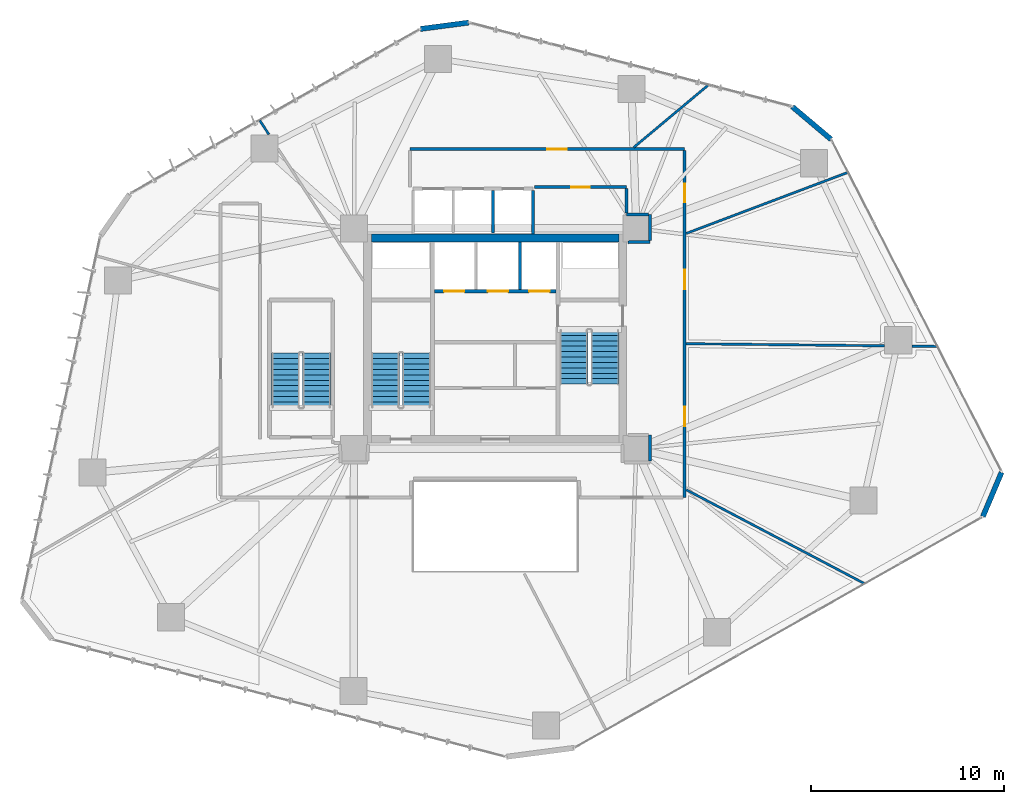
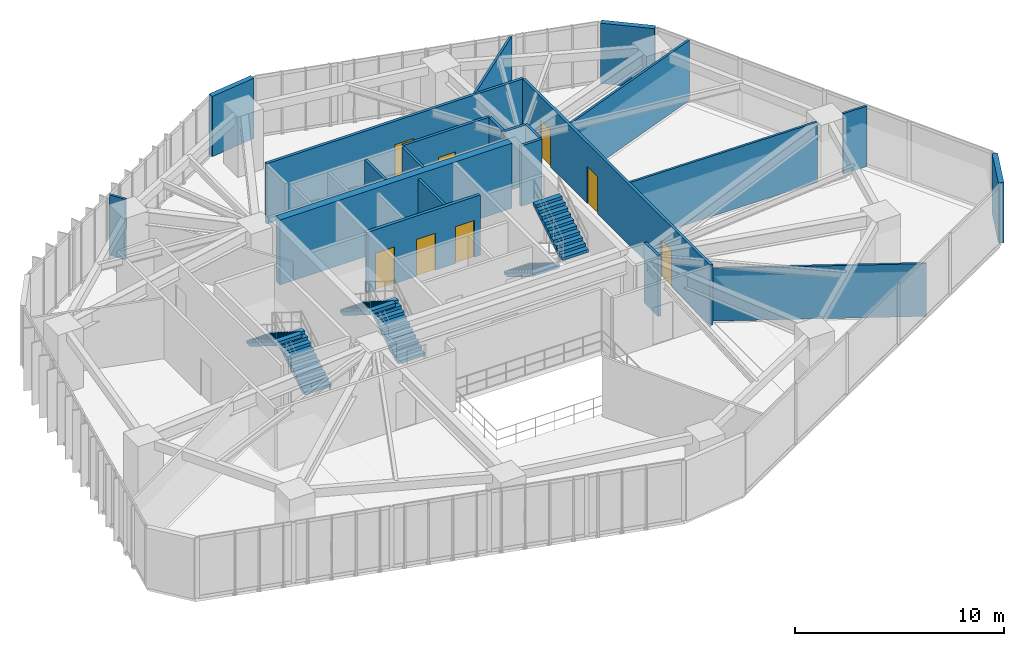
# One storey, part 19 of 23: 22 walls, 8 doors, 6 stair flights, 8 openings, 3 elements without a shape of their own.
"""IFC4 building model written with IfcOpenShell, lengths in metres."""

from ifc_helpers import new_model, si_unit, direction, frame, frame_2d, origin, place, context, subcontext, project, spatial, polyline, rectangle, outline, extrude, source, transform, mapped, material, layer, layer_set, type_object, type_shapes, element, fill, aggregate, save


model = new_model("IFC4")

# Units and contexts
model_context = context("Model", 3, precision=1e-05, world=origin(), true_north=direction((0.0, 1.0)))
body_context = subcontext(model_context, "Body", "Model", "MODEL_VIEW")
ifc_project = project(units=[si_unit("LENGTHUNIT", "METRE"), si_unit("AREAUNIT", "SQUARE_METRE"), si_unit("VOLUMEUNIT", "CUBIC_METRE"), si_unit("PLANEANGLEUNIT", "RADIAN"), si_unit("MASSUNIT", "GRAM", prefix="KILO")], contexts=[model_context])

# Site, building, storey
site_placement = place(None, origin())
site = spatial("IfcSite", under=ifc_project, at=site_placement, CompositionType="ELEMENT")
building_placement = place(site_placement, origin())
building = spatial("IfcBuilding", under=site, at=building_placement, Name="Talar Marvaseh", CompositionType="ELEMENT")
storey_placement = place(building_placement, frame((0.0, 0.0, 46.800048828125)))
storey = spatial("IfcBuildingStorey", under=building, at=storey_placement, Name="L11", CompositionType="ELEMENT", Elevation=46.800048828125)

# Walls
ifc_material_1 = material(Name="Precast concrete C45/55", Category="concrete")
ifc_layer_1 = layer(ifc_material_1, 0.27001953125)
ifc_layer_set_1 = layer_set([ifc_layer_1], Name="Precast concrete C45/55")
wall_type_1 = type_object("IfcWallType", Name="Chamfered Hexagonal Corner Pier Wall Z1 270", PredefinedType="SOLIDWALL", material=ifc_layer_set_1)
wall_1_placement = place(storey_placement, frame((22.1357421875, 47.21435546875, 0.0), z_axis=(0.0, 0.0, 1.0), x_axis=(0.991446036336, 0.130517267189, 0.0)))
element("IfcWall", 1, at=wall_1_placement, inside=storey, type_object=wall_type_1, Name="L11 Chamfered Corner Limestone Pier 3", PredefinedType="SOLIDWALL", context=body_context, shape_type="SweptSolid", body=[
    extrude(rectangle(XDim=2.515869140625, YDim=0.27001953125, at=frame_2d((1.2578125, 0.0))), origin(), (0.0, 0.0, 1.0), 3.52001953125),
])
wall_2_placement = place(storey_placement, frame((41.369873046875, 43.19091796875, 0.0), z_axis=(0.0, 0.0, 1.0), x_axis=(0.764585273349, -0.64452258283, 0.0)))
element("IfcWall", 2, at=wall_2_placement, inside=storey, type_object=wall_type_1, Name="L11 Chamfered Corner Limestone Pier 4", PredefinedType="SOLIDWALL", context=body_context, shape_type="SweptSolid", body=[
    extrude(rectangle(XDim=2.623046875, YDim=0.27001953125, at=frame_2d((1.3115234375, 0.0))), origin(), (0.0, 0.0, 1.0), 3.52001953125),
])
wall_3_placement = place(storey_placement, frame((52.18505859375, 24.287841796875, 0.0), z_axis=(0.0, 0.0, 1.0), x_axis=(-0.389585485565, -0.92099030909, 0.0)))
element("IfcWall", 3, at=wall_3_placement, inside=storey, type_object=wall_type_1, Name="L11 Chamfered Corner Limestone Pier 5", PredefinedType="SOLIDWALL", context=body_context, shape_type="SweptSolid", body=[
    extrude(rectangle(XDim=2.484130859375, YDim=0.27001953125, at=frame_2d((1.2421875, 0.0))), origin(), (0.0, 0.0, 1.0), 3.52001953125),
])

# Wall, opening, door
ifc_material_2 = material(Name="Gypsum Board Partition Assembly")
ifc_layer_2 = layer(ifc_material_2, 0.155029296875)
ifc_layer_set_2 = layer_set([ifc_layer_2], Name="Gypsum Board Partition Assembly")
wall_type_2 = type_object("IfcWallType", Name="Corridor Fire-Rated Acoustic Partition 155", PredefinedType="PARTITIONING", material=ifc_layer_set_2)
wall_4_placement = place(storey_placement, frame((32.800048828125, 39.0400390625, 0.0), z_axis=(0.0, 0.0, 1.0), x_axis=(-1.0, 0.0, 0.0)))
wall_4 = element("IfcWall", 4, at=wall_4_placement, inside=storey, type_object=wall_type_2, Name="L11 Interior Partition Wall", PredefinedType="PARTITIONING", context=body_context, shape_type="SweptSolid", body=[
    extrude(rectangle(XDim=4.77001953125, YDim=0.155029296875, at=frame_2d((2.385009765625, 0.0))), origin(), (0.0, 0.0, 1.0), 3.52001953125),
])
opening_1_placement = place(wall_4_placement, frame((1.909912109375, 0.0, 0.0)))
opening_1 = element("IfcOpeningElement", 5, at=opening_1_placement, cuts=wall_4, Name="Opening DR-WC095", PredefinedType="OPENING", context=body_context, shape_type="SweptSolid", body=[
    extrude(rectangle(XDim=0.949951171875, YDim=2.14990234375, at=frame_2d((0.47509765625, 1.074951171875))), frame((0.0, 0.08740234375, 0.0), z_axis=(0.0, -1.0, 0.0), x_axis=(1.0, 0.0, 0.0)), (0.0, 0.0, 1.0), 0.175048828125),
])
ifc_material_3 = material(Name="Acoustic Engineered Oak Timber", Category="wood")
door_type_1 = type_object("IfcDoorType", Name="Washroom and Service Room Door 950x2150", OperationType="NOTDEFINED", PredefinedType="DOOR", material=ifc_material_3)
shared_shape_1 = source(origin(), body_context, "Body", "SweptSolid", [
    extrude(rectangle(XDim=0.949951171875, YDim=2.14990234375, at=frame_2d((0.47509765625, 1.074951171875))), frame((0.0, 0.02490234375, 0.0), z_axis=(0.0, -1.0, 0.0), x_axis=(1.0, 0.0, 0.0)), (0.0, 0.0, 1.0), 0.050048828125),
])
type_shapes(door_type_1, [shared_shape_1])
door_1_placement = place(opening_1_placement, origin())
door_1 = element("IfcDoor", 6, at=door_1_placement, inside=storey, type_object=door_type_1, Name="L11 WC Public Washrooms Door", OperationType="SINGLE_SWING_LEFT", OverallHeight=2.14990234375, OverallWidth=0.949951171875, PredefinedType="DOOR", context=body_context, shape_type="MappedRepresentation", body=[
    mapped(shared_shape_1, transform((0.0, 0.0, 0.0), x_axis=(1.0, 0.0, 0.0), y_axis=(0.0, 1.0, 0.0), z_axis=(0.0, 0.0, 1.0), scale=1.0)),
])
fill(opening_1, door_1)

wall_5_placement = place(storey_placement, frame((21.60009765625, 41.0, 0.0), z_axis=(0.0, 0.0, 1.0), x_axis=(1.0, 0.0, 0.0)))
wall_5 = element("IfcWall", 7, at=wall_5_placement, inside=storey, type_object=wall_type_2, Name="L11 Interior Partition Wall", PredefinedType="PARTITIONING", context=body_context, shape_type="SweptSolid", body=[
    extrude(rectangle(XDim=14.199951171875, YDim=0.155029296875, at=frame_2d((7.10009765625, 0.0))), origin(), (0.0, 0.0, 1.0), 3.52001953125),
])
opening_2_placement = place(wall_5_placement, frame((7.090087890625, 0.0, 0.0)))
opening_2 = element("IfcOpeningElement", 8, at=opening_2_placement, cuts=wall_5, Name="Opening DR-RM100", PredefinedType="OPENING", context=body_context, shape_type="SweptSolid", body=[
    extrude(rectangle(XDim=1.0, YDim=2.14990234375, at=frame_2d((0.5, 1.074951171875))), frame((0.0, 0.08740234375, 0.0), z_axis=(0.0, -1.0, 0.0), x_axis=(1.0, 0.0, 0.0)), (0.0, 0.0, 1.0), 0.175048828125),
])
door_type_2 = type_object("IfcDoorType", Name="Corridor Fire-Rated Gallery Door 1000x2150", OperationType="NOTDEFINED", PredefinedType="DOOR", material=ifc_material_3)
shared_shape_2 = source(origin(), body_context, "Body", "SweptSolid", [
    extrude(rectangle(XDim=1.0, YDim=2.14990234375, at=frame_2d((0.5, 1.074951171875))), frame((0.0, 0.02490234375, 0.0), z_axis=(0.0, -1.0, 0.0), x_axis=(1.0, 0.0, 0.0)), (0.0, 0.0, 1.0), 0.050048828125),
])
type_shapes(door_type_2, [shared_shape_2])
door_2_placement = place(opening_2_placement, origin())
door_2 = element("IfcDoor", 9, at=door_2_placement, inside=storey, type_object=door_type_2, Name="L11 Chamber Recital Salon Door", OperationType="SINGLE_SWING_RIGHT", OverallHeight=2.14990234375, OverallWidth=1.0, PredefinedType="DOOR", context=body_context, shape_type="MappedRepresentation", body=[
    mapped(shared_shape_2, transform((0.0, 0.0, 0.0), x_axis=(1.0, 0.0, 0.0), y_axis=(0.0, 1.0, 0.0), z_axis=(0.0, 0.0, 1.0), scale=1.0)),
])
fill(opening_2, door_2)

# Wall, openings, doors
wall_6_placement = place(storey_placement, frame((35.800048828125, 40.91650390625, 0.0), z_axis=(0.0, 0.0, 1.0), x_axis=(0.0, -1.0, 0.0)))
wall_6 = element("IfcWall", 10, at=wall_6_placement, inside=storey, type_object=wall_type_2, Name="L11 Interior Partition Wall", PredefinedType="PARTITIONING", context=body_context, shape_type="SweptSolid", body=[
    extrude(rectangle(XDim=17.91650390625, YDim=0.155029296875, at=frame_2d((8.958251953125, 0.0))), origin(), (0.0, 0.0, 1.0), 3.52001953125),
])
opening_3_placement = place(wall_6_placement, frame((13.242919921875, 0.0, 0.0)))
opening_3 = element("IfcOpeningElement", 11, at=opening_3_placement, cuts=wall_6, Name="Opening DR-RM100", PredefinedType="OPENING", context=body_context, shape_type="SweptSolid", body=[
    extrude(rectangle(XDim=1.0, YDim=2.14990234375, at=frame_2d((0.5, 1.074951171875))), frame((0.0, 0.08740234375, 0.0), z_axis=(0.0, -1.0, 0.0), x_axis=(1.0, 0.0, 0.0)), (0.0, 0.0, 1.0), 0.175048828125),
])
opening_4_placement = place(wall_6_placement, frame((6.158203125, 0.0, 0.0)))
opening_4 = element("IfcOpeningElement", 12, at=opening_4_placement, cuts=wall_6, Name="Opening DR-RM100", PredefinedType="OPENING", context=body_context, shape_type="SweptSolid", body=[
    extrude(rectangle(XDim=1.0, YDim=2.14990234375, at=frame_2d((0.5, 1.074951171875))), frame((0.0, 0.08740234375, 0.0), z_axis=(0.0, -1.0, 0.0), x_axis=(1.0, 0.0, 0.0)), (0.0, 0.0, 1.0), 0.175048828125),
])
opening_5_placement = place(wall_6_placement, frame((1.70458984375, 0.0, 0.0)))
opening_5 = element("IfcOpeningElement", 13, at=opening_5_placement, cuts=wall_6, Name="Opening DR-WC095", PredefinedType="OPENING", context=body_context, shape_type="SweptSolid", body=[
    extrude(rectangle(XDim=0.949951171875, YDim=2.14990234375, at=frame_2d((0.47509765625, 1.074951171875))), frame((0.0, 0.08740234375, 0.0), z_axis=(0.0, -1.0, 0.0), x_axis=(1.0, 0.0, 0.0)), (0.0, 0.0, 1.0), 0.175048828125),
])
door_3_placement = place(opening_5_placement, origin())
door_3 = element("IfcDoor", 14, at=door_3_placement, inside=storey, type_object=door_type_1, Name="L11 Accessible WC Block Door", OperationType="SINGLE_SWING_RIGHT", OverallHeight=2.14990234375, OverallWidth=0.949951171875, PredefinedType="DOOR", context=body_context, shape_type="MappedRepresentation", body=[
    mapped(shared_shape_1, transform((0.0, 0.0, 0.0), x_axis=(1.0, 0.0, 0.0), y_axis=(0.0, 1.0, 0.0), z_axis=(0.0, 0.0, 1.0), scale=1.0)),
])
fill(opening_5, door_3)
door_4_placement = place(opening_3_placement, origin())
door_4 = element("IfcDoor", 15, at=door_4_placement, inside=storey, type_object=door_type_2, Name="L11 Main Reading Room Door", OperationType="SINGLE_SWING_RIGHT", OverallHeight=2.14990234375, OverallWidth=1.0, PredefinedType="DOOR", context=body_context, shape_type="MappedRepresentation", body=[
    mapped(shared_shape_2, transform((0.0, 0.0, 0.0), x_axis=(1.0, 0.0, 0.0), y_axis=(0.0, 1.0, 0.0), z_axis=(0.0, 0.0, 1.0), scale=1.0)),
])
fill(opening_3, door_4)
door_5_placement = place(opening_4_placement, origin())
door_5 = element("IfcDoor", 16, at=door_5_placement, inside=storey, type_object=door_type_2, Name="L11 Visitor Orientation Foyer Door", OperationType="SINGLE_SWING_LEFT", OverallHeight=2.14990234375, OverallWidth=1.0, PredefinedType="DOOR", context=body_context, shape_type="MappedRepresentation", body=[
    mapped(shared_shape_2, transform((0.0, 0.0, 0.0), x_axis=(1.0, 0.0, 0.0), y_axis=(0.0, 1.0, 0.0), z_axis=(0.0, 0.0, 1.0), scale=1.0)),
])
fill(opening_4, door_5)

# Walls
wall_7_placement = place(storey_placement, frame((34.014892578125, 24.883544921875, 0.0), z_axis=(0.0, 0.0, 1.0), x_axis=(-0.002393659134, 0.999997135194, 0.0)))
element("IfcWall", 17, at=wall_7_placement, inside=storey, type_object=wall_type_2, Name="L11 Interior Partition Wall", PredefinedType="PARTITIONING", context=body_context, shape_type="SweptSolid", body=[
    extrude(rectangle(XDim=1.325927734375, YDim=0.155029296875, at=frame_2d((0.6630859375, 0.0))), origin(), (0.0, 0.0, 1.0), 3.52001953125),
])
wall_8_placement = place(storey_placement, frame((32.8701171875, 36.18505859375, 0.0), z_axis=(0.0, 0.0, 1.0), x_axis=(0.999988932255, 0.00470482389, 0.0)))
element("IfcWall", 18, at=wall_8_placement, inside=storey, type_object=wall_type_2, Name="L11 Interior Partition Wall", PredefinedType="PARTITIONING", context=body_context, shape_type="SweptSolid", body=[
    extrude(rectangle(XDim=1.1416015625, YDim=0.155029296875, at=frame_2d((0.57080078125, 0.0))), origin(), (0.0, 0.0, 1.0), 3.52001953125),
])
wall_9_placement = place(storey_placement, frame((34.01171875, 36.27392578125, 0.0), z_axis=(0.0, 0.0, 1.0), x_axis=(0.0, 1.0, 0.0)))
element("IfcWall", 19, at=wall_9_placement, inside=storey, type_object=wall_type_2, Name="L11 Interior Partition Wall", PredefinedType="PARTITIONING", context=body_context, shape_type="SweptSolid", body=[
    extrude(rectangle(XDim=1.335693359375, YDim=0.155029296875, at=frame_2d((0.66796875, 0.0))), origin(), (0.0, 0.0, 1.0), 3.52001953125),
])
wall_10_placement = place(storey_placement, frame((33.927978515625, 37.60986328125, 0.0), z_axis=(0.0, 0.0, 1.0), x_axis=(-0.999989669582, 0.004545407589, 0.0)))
element("IfcWall", 20, at=wall_10_placement, inside=storey, type_object=wall_type_2, Name="L11 Interior Partition Wall", PredefinedType="PARTITIONING", context=body_context, shape_type="SweptSolid", body=[
    extrude(rectangle(XDim=1.1279296875, YDim=0.155029296875, at=frame_2d((0.56396484375, 0.0))), origin(), (0.0, 0.0, 1.0), 3.52001953125),
])
wall_11_placement = place(storey_placement, frame((32.800048828125, 37.698486328125, 0.0), z_axis=(0.0, 0.0, 1.0), x_axis=(0.0, 1.0, 0.0)))
element("IfcWall", 21, at=wall_11_placement, inside=storey, type_object=wall_type_2, Name="L11 Interior Partition Wall", PredefinedType="PARTITIONING", context=body_context, shape_type="SweptSolid", body=[
    extrude(rectangle(XDim=1.258056640625, YDim=0.155029296875, at=frame_2d((0.62890625, 0.0))), origin(), (0.0, 0.0, 1.0), 3.52001953125),
])
ifc_layer_3 = layer(ifc_material_2, 0.1201171875)
ifc_layer_set_3 = layer_set([ifc_layer_3], Name="Gypsum Board Partition Assembly")
wall_type_3 = type_object("IfcWallType", Name="Demountable Studio Room Partition 120", PredefinedType="PARTITIONING", material=ifc_layer_set_3)
wall_12_placement = place(storey_placement, frame((35.883544921875, 23.385986328125, 0.0), z_axis=(0.0, 0.0, 1.0), x_axis=(0.884897850973, -0.465785136456, 0.0)))
element("IfcWall", 22, at=wall_12_placement, inside=storey, type_object=wall_type_3, Name="L11 Interior Partition Wall", PredefinedType="PARTITIONING", context=body_context, shape_type="SweptSolid", body=[
    extrude(rectangle(XDim=10.399169921875, YDim=0.1201171875, at=frame_2d((5.19970703125, 0.0))), origin(), (0.0, 0.0, 1.0), 3.08203125),
])
wall_13_placement = place(storey_placement, frame((35.864990234375, 30.939208984375, 0.0), z_axis=(0.0, 0.0, 1.0), x_axis=(0.999943490753, -0.01063086551, 0.0)))
element("IfcWall", 23, at=wall_13_placement, inside=storey, type_object=wall_type_3, Name="L11 Interior Partition Wall", PredefinedType="PARTITIONING", context=body_context, shape_type="SweptSolid", body=[
    extrude(rectangle(XDim=10.265380859375, YDim=0.1201171875, at=frame_2d((5.1328125, 0.0))), origin(), (0.0, 0.0, 1.0), 3.52001953125),
])
wall_14_placement = place(storey_placement, frame((47.56005859375, 30.81005859375, 0.0), z_axis=(0.0, 0.0, 1.0), x_axis=(0.99995667863, -0.009308107381, 0.0)))
element("IfcWall", 24, at=wall_14_placement, inside=storey, type_object=wall_type_3, Name="L11 Interior Partition Wall", PredefinedType="PARTITIONING", context=body_context, shape_type="SweptSolid", body=[
    extrude(rectangle(XDim=1.28515625, YDim=0.1201171875, at=frame_2d((0.642578125, 0.0))), origin(), (0.0, 0.0, 1.0), 3.52001953125),
])
wall_15_placement = place(storey_placement, frame((35.883544921875, 36.6416015625, 0.0), z_axis=(0.0, 0.0, 1.0), x_axis=(0.935485162671, 0.35336597236, 0.0)))
element("IfcWall", 25, at=wall_15_placement, inside=storey, type_object=wall_type_3, Name="L11 Interior Partition Wall", PredefinedType="PARTITIONING", context=body_context, shape_type="SweptSolid", body=[
    extrude(rectangle(XDim=8.920166015625, YDim=0.1201171875, at=frame_2d((4.4599609375, 0.0))), origin(), (0.0, 0.0, 1.0), 3.52001953125),
])
wall_16_placement = place(storey_placement, frame((33.159912109375, 41.08349609375, 0.0), z_axis=(0.0, 0.0, 1.0), x_axis=(0.767061220869, 0.641573911127, 0.0)))
element("IfcWall", 26, at=wall_16_placement, inside=storey, type_object=wall_type_3, Name="L11 Interior Partition Wall", PredefinedType="PARTITIONING", context=body_context, shape_type="SweptSolid", body=[
    extrude(rectangle(XDim=5.025390625, YDim=0.1201171875, at=frame_2d((2.5126953125, 0.0))), origin(), (0.0, 0.0, 1.0), 3.52001953125),
])
wall_17_placement = place(storey_placement, frame((14.300048828125, 41.760009765625, 0.0), z_axis=(0.0, 0.0, 1.0), x_axis=(-0.54461843276, 0.838683946846, 0.0)))
element("IfcWall", 27, at=wall_17_placement, inside=storey, type_object=wall_type_3, Name="L11 Interior Partition Wall", PredefinedType="PARTITIONING", context=body_context, shape_type="SweptSolid", body=[
    extrude(rectangle(XDim=0.8583984375, YDim=0.1201171875, at=frame_2d((0.42919921875, 0.0))), origin(), (0.0, 0.0, 1.0), 3.52001953125),
])
ifc_layer_4 = layer(ifc_material_1, 0.14501953125)
ifc_layer_set_4 = layer_set([ifc_layer_4], Name="Precast concrete C45/55")
wall_type_4 = type_object("IfcWallType", Name="Fire-Rated Lift Divider Wall 145", PredefinedType="SOLIDWALL", material=ifc_layer_set_4)
wall_18_placement = place(storey_placement, frame((27.280029296875, 33.743408203125, 0.0), z_axis=(0.0, 0.0, 1.0), x_axis=(0.0, 1.0, 0.0)))
element("IfcWall", 28, at=wall_18_placement, inside=storey, type_object=wall_type_4, Name="L11 FFL-2/SVL-1 Divider", PredefinedType="SOLIDWALL", context=body_context, shape_type="SweptSolid", body=[
    extrude(rectangle(XDim=2.45654296875, YDim=0.14501953125, at=frame_2d((1.228271484375, 0.0))), origin(), (0.0, 0.0, 1.0), 3.52001953125),
])
wall_19_placement = place(storey_placement, frame((27.9599609375, 36.60009765625, 0.0), z_axis=(0.0, 0.0, 1.0), x_axis=(0.0, 1.0, 0.0)))
element("IfcWall", 29, at=wall_19_placement, inside=storey, type_object=wall_type_4, Name="L11 Low-Rise Bank East Wall", PredefinedType="SOLIDWALL", context=body_context, shape_type="SweptSolid", body=[
    extrude(rectangle(XDim=2.266357421875, YDim=0.14501953125, at=frame_2d((1.13330078125, 0.0))), origin(), (0.0, 0.0, 1.0), 3.52001953125),
])
wall_20_placement = place(storey_placement, frame((25.889892578125, 36.659912109375, 0.0), z_axis=(0.0, 0.0, 1.0), x_axis=(0.0, 1.0, 0.0)))
element("IfcWall", 30, at=wall_20_placement, inside=storey, type_object=wall_type_4, Name="L11 PL-L2/PL-L3 Divider", PredefinedType="SOLIDWALL", context=body_context, shape_type="SweptSolid", body=[
    extrude(rectangle(XDim=2.20654296875, YDim=0.14501953125, at=frame_2d((1.103271484375, 0.0))), origin(), (0.0, 0.0, 1.0), 3.52001953125),
])

# Wall, openings, doors
ifc_layer_5 = layer(ifc_material_1, 0.175048828125)
ifc_layer_set_5 = layer_set([ifc_layer_5], Name="Precast concrete C45/55")
wall_type_5 = type_object("IfcWallType", Name="Fire-Rated Lift Hoistway Enclosure Wall 175", PredefinedType="SOLIDWALL", material=ifc_layer_set_5)
wall_21_placement = place(storey_placement, frame((22.860107421875, 33.64990234375, 0.0), z_axis=(0.0, 0.0, 1.0), x_axis=(1.0, 0.0, 0.0)))
wall_21 = element("IfcWall", 31, at=wall_21_placement, inside=storey, type_object=wall_type_5, Name="L11 Firefighting and Service Lift Front Wall", PredefinedType="SOLIDWALL", context=body_context, shape_type="SweptSolid", body=[
    extrude(rectangle(XDim=6.27978515625, YDim=0.175048828125, at=frame_2d((3.139892578125, 0.0))), origin(), (0.0, 0.0, 1.0), 3.52001953125),
])
opening_6_placement = place(wall_21_placement, frame((0.5, 0.0, 0.0)))
opening_6 = element("IfcOpeningElement", 32, at=opening_6_placement, cuts=wall_21, Name="Opening LD-FF1", PredefinedType="OPENING", context=body_context, shape_type="SweptSolid", body=[
    extrude(rectangle(XDim=1.050048828125, YDim=2.14990234375, at=frame_2d((0.52490234375, 1.074951171875))), frame((0.0, 0.09765625, 0.0), z_axis=(0.0, -1.0, 0.0), x_axis=(1.0, 0.0, 0.0)), (0.0, 0.0, 1.0), 0.195068359375),
])
opening_7_placement = place(wall_21_placement, frame((2.760009765625, 0.0, 0.0)))
opening_7 = element("IfcOpeningElement", 33, at=opening_7_placement, cuts=wall_21, Name="Opening LD-FF2", PredefinedType="OPENING", context=body_context, shape_type="SweptSolid", body=[
    extrude(rectangle(XDim=1.050048828125, YDim=2.14990234375, at=frame_2d((0.52490234375, 1.074951171875))), frame((0.0, 0.09765625, 0.0), z_axis=(0.0, -1.0, 0.0), x_axis=(1.0, 0.0, 0.0)), (0.0, 0.0, 1.0), 0.195068359375),
])
opening_8_placement = place(wall_21_placement, frame((4.89990234375, 0.0, 0.0)))
opening_8 = element("IfcOpeningElement", 34, at=opening_8_placement, cuts=wall_21, Name="Opening LD-SV1", PredefinedType="OPENING", context=body_context, shape_type="SweptSolid", body=[
    extrude(rectangle(XDim=1.050048828125, YDim=2.14990234375, at=frame_2d((0.52490234375, 1.074951171875))), frame((0.0, 0.09765625, 0.0), z_axis=(0.0, -1.0, 0.0), x_axis=(1.0, 0.0, 0.0)), (0.0, 0.0, 1.0), 0.195068359375),
])
ifc_material_4 = material(Name="Stainless Steel Grade 316", Category="steel")
door_type_3 = type_object("IfcDoorType", Name="Automatic Sliding Lift Landing Door 1050x2150", OperationType="NOTDEFINED", PredefinedType="DOOR", material=ifc_material_4)
shared_shape_3 = source(origin(), body_context, "Body", "SweptSolid", [
    extrude(rectangle(XDim=1.050048828125, YDim=2.14990234375, at=frame_2d((0.52490234375, 1.074951171875))), frame((0.0, 0.02490234375, 0.0), z_axis=(0.0, -1.0, 0.0), x_axis=(1.0, 0.0, 0.0)), (0.0, 0.0, 1.0), 0.050048828125),
])
type_shapes(door_type_3, [shared_shape_3])
door_6_placement = place(opening_6_placement, origin())
door_6 = element("IfcDoor", 35, at=door_6_placement, inside=storey, type_object=door_type_3, Name="L11 Lift FFL-1 Sliding Landing Door", OperationType="SLIDING_TO_LEFT", OverallHeight=2.14990234375, OverallWidth=1.050048828125, PredefinedType="DOOR", context=body_context, shape_type="MappedRepresentation", body=[
    mapped(shared_shape_3, transform((0.0, 0.0, 0.0), x_axis=(1.0, 0.0, 0.0), y_axis=(0.0, 1.0, 0.0), z_axis=(0.0, 0.0, 1.0), scale=1.0)),
])
fill(opening_6, door_6)
door_7_placement = place(opening_7_placement, origin())
door_7 = element("IfcDoor", 36, at=door_7_placement, inside=storey, type_object=door_type_3, Name="L11 Lift FFL-2 Sliding Landing Door", OperationType="SLIDING_TO_LEFT", OverallHeight=2.14990234375, OverallWidth=1.050048828125, PredefinedType="DOOR", context=body_context, shape_type="MappedRepresentation", body=[
    mapped(shared_shape_3, transform((0.0, 0.0, 0.0), x_axis=(1.0, 0.0, 0.0), y_axis=(0.0, 1.0, 0.0), z_axis=(0.0, 0.0, 1.0), scale=1.0)),
])
fill(opening_7, door_7)
door_8_placement = place(opening_8_placement, origin())
door_8 = element("IfcDoor", 37, at=door_8_placement, inside=storey, type_object=door_type_3, Name="L11 Lift SVL-1 Sliding Landing Door", OperationType="SLIDING_TO_LEFT", OverallHeight=2.14990234375, OverallWidth=1.050048828125, PredefinedType="DOOR", context=body_context, shape_type="MappedRepresentation", body=[
    mapped(shared_shape_3, transform((0.0, 0.0, 0.0), x_axis=(1.0, 0.0, 0.0), y_axis=(0.0, 1.0, 0.0), z_axis=(0.0, 0.0, 1.0), scale=1.0)),
])
fill(opening_8, door_8)

# Wall
ifc_material_5 = material(Name="Concrete C70/85", Category="concrete")
ifc_layer_6 = layer(ifc_material_5, 0.39990234375)
ifc_layer_set_6 = layer_set([ifc_layer_6], Name="Concrete C70/85")
wall_type_6 = type_object("IfcWallType", Name="Lower Core Reinforced Concrete Shear Wall 400", PredefinedType="SHEAR", material=ifc_layer_set_6)
wall_22_placement = place(storey_placement, frame((19.60009765625, 36.39990234375, 0.0), z_axis=(0.0, 0.0, 1.0), x_axis=(1.0, 0.0, 0.0)))
element("IfcWall", 38, at=wall_22_placement, inside=storey, type_object=wall_type_6, Name="L11 North Core Shear Wall", PredefinedType="SHEAR", context=body_context, shape_type="SweptSolid", body=[
    extrude(rectangle(XDim=12.7998046875, YDim=0.39990234375, at=frame_2d((6.39990234375, 0.0))), origin(), (0.0, 0.0, 1.0), 3.800048828125),
])

# Stair, stair flights
ifc_material_6 = material(Name="Concrete C40/50", Category="concrete")
stair_type = type_object("IfcStairType", Name="Reinforced Concrete Half-Turn Exit Stair Type B", PredefinedType="HALF_TURN_STAIR", material=ifc_material_6)
stair_1_placement = place(storey_placement, origin())
stair_1 = element("IfcStair", 39, at=stair_1_placement, inside=storey, type_object=stair_type, Name="L11 Tower West Core Exit Stair", PredefinedType="HALF_TURN_STAIR")
ifc_layer_7 = layer(ifc_material_6, 0.159912109375)
ifc_layer_set_7 = layer_set([ifc_layer_7], Name="Concrete C40/50")
stair_flight_type = type_object("IfcStairFlightType", Name="Reinforced Concrete Straight Stair Flight 160", PredefinedType="STRAIGHT", material=ifc_layer_set_7)
stair_flight_1_placement = place(storey_placement, frame((21.93505859375, 27.64990234375, 0.0), z_axis=(0.0, 0.0, 1.0), x_axis=(0.0, 1.0, 0.0)))
stair_flight_1 = element("IfcStairFlight", 40, at=stair_flight_1_placement, type_object=stair_flight_type, Name="ST-1 flight 1", NumberOfRisers=11, NumberOfTreads=10, PredefinedType="STRAIGHT", RiserHeight=0.172727273, TreadLength=0.28, context=body_context, shape_type="SweptSolid", body=[
    extrude(outline(polyline([(0.0, 0.0), (0.0, 0.172607421875), (0.280029296875, 0.172607421875), (0.280029296875, 0.345458984375), (0.56005859375, 0.345458984375), (0.56005859375, 0.51806640625), (0.840087890625, 0.51806640625), (0.840087890625, 0.69091796875), (1.1201171875, 0.69091796875), (1.1201171875, 0.863525390625), (1.39990234375, 0.863525390625), (1.39990234375, 1.036376953125), (1.679931640625, 1.036376953125), (1.679931640625, 1.208984375), (1.9599609375, 1.208984375), (1.9599609375, 1.3818359375), (2.239990234375, 1.3818359375), (2.239990234375, 1.554443359375), (2.52001953125, 1.554443359375), (2.52001953125, 1.727294921875), (2.800048828125, 1.727294921875), (2.800048828125, 1.89990234375), (2.800048828125, 1.539306640625), (0.3046875, 0.0), (0.0, 0.0)])), frame((0.0, 0.72509765625, 0.0), z_axis=(0.0, -1.0, 0.0), x_axis=(1.0, 0.0, 0.0)), (0.0, 0.0, 1.0), 1.449951171875),
])
stair_flight_2_placement = place(storey_placement, frame((20.324951171875, 30.449951171875, 1.89990234375), z_axis=(0.0, 0.0, 1.0), x_axis=(0.0, -1.0, 0.0)))
stair_flight_2 = element("IfcStairFlight", 41, at=stair_flight_2_placement, type_object=stair_flight_type, Name="ST-1 flight 2", NumberOfRisers=11, NumberOfTreads=10, PredefinedType="STRAIGHT", RiserHeight=0.172727273, TreadLength=0.28, context=body_context, shape_type="SweptSolid", body=[
    extrude(outline(polyline([(0.0, 0.0), (0.0, 0.172607421875), (0.280029296875, 0.172607421875), (0.280029296875, 0.345458984375), (0.56005859375, 0.345458984375), (0.56005859375, 0.51806640625), (0.840087890625, 0.51806640625), (0.840087890625, 0.69091796875), (1.1201171875, 0.69091796875), (1.1201171875, 0.863525390625), (1.39990234375, 0.863525390625), (1.39990234375, 1.036376953125), (1.679931640625, 1.036376953125), (1.679931640625, 1.208984375), (1.9599609375, 1.208984375), (1.9599609375, 1.3818359375), (2.239990234375, 1.3818359375), (2.239990234375, 1.554443359375), (2.52001953125, 1.554443359375), (2.52001953125, 1.727294921875), (2.800048828125, 1.727294921875), (2.800048828125, 1.89990234375), (2.800048828125, 1.539306640625), (0.3046875, 0.0), (0.0, 0.0)])), frame((0.0, 0.72509765625, 0.0), z_axis=(0.0, -1.0, 0.0), x_axis=(1.0, 0.0, 0.0)), (0.0, 0.0, 1.0), 1.449951171875),
])
aggregate(stair_1, [stair_flight_1, stair_flight_2])

stair_2_placement = place(storey_placement, origin())
stair_2 = element("IfcStair", 42, at=stair_2_placement, inside=storey, type_object=stair_type, Name="L11 Tower East Core Exit Stair", PredefinedType="HALF_TURN_STAIR")
stair_flight_3_placement = place(storey_placement, frame((30.06494140625, 31.64990234375, 0.0), z_axis=(0.0, 0.0, 1.0), x_axis=(0.0, -1.0, 0.0)))
stair_flight_3 = element("IfcStairFlight", 43, at=stair_flight_3_placement, type_object=stair_flight_type, Name="ST-2 flight 1", NumberOfRisers=11, NumberOfTreads=10, PredefinedType="STRAIGHT", RiserHeight=0.172727273, TreadLength=0.28, context=body_context, shape_type="SweptSolid", body=[
    extrude(outline(polyline([(0.0, 0.0), (0.0, 0.172607421875), (0.280029296875, 0.172607421875), (0.280029296875, 0.345458984375), (0.56005859375, 0.345458984375), (0.56005859375, 0.51806640625), (0.840087890625, 0.51806640625), (0.840087890625, 0.69091796875), (1.1201171875, 0.69091796875), (1.1201171875, 0.863525390625), (1.39990234375, 0.863525390625), (1.39990234375, 1.036376953125), (1.679931640625, 1.036376953125), (1.679931640625, 1.208984375), (1.9599609375, 1.208984375), (1.9599609375, 1.3818359375), (2.239990234375, 1.3818359375), (2.239990234375, 1.554443359375), (2.52001953125, 1.554443359375), (2.52001953125, 1.727294921875), (2.800048828125, 1.727294921875), (2.800048828125, 1.89990234375), (2.800048828125, 1.539306640625), (0.3046875, 0.0), (0.0, 0.0)])), frame((0.0, 0.72509765625, 0.0), z_axis=(0.0, -1.0, 0.0), x_axis=(1.0, 0.0, 0.0)), (0.0, 0.0, 1.0), 1.449951171875),
])
stair_flight_4_placement = place(storey_placement, frame((31.675048828125, 28.85009765625, 1.89990234375), z_axis=(0.0, 0.0, 1.0), x_axis=(0.0, 1.0, 0.0)))
stair_flight_4 = element("IfcStairFlight", 44, at=stair_flight_4_placement, type_object=stair_flight_type, Name="ST-2 flight 2", NumberOfRisers=11, NumberOfTreads=10, PredefinedType="STRAIGHT", RiserHeight=0.172727273, TreadLength=0.28, context=body_context, shape_type="SweptSolid", body=[
    extrude(outline(polyline([(0.0, 0.0), (0.0, 0.172607421875), (0.280029296875, 0.172607421875), (0.280029296875, 0.345458984375), (0.56005859375, 0.345458984375), (0.56005859375, 0.51806640625), (0.840087890625, 0.51806640625), (0.840087890625, 0.69091796875), (1.1201171875, 0.69091796875), (1.1201171875, 0.863525390625), (1.39990234375, 0.863525390625), (1.39990234375, 1.036376953125), (1.679931640625, 1.036376953125), (1.679931640625, 1.208984375), (1.9599609375, 1.208984375), (1.9599609375, 1.3818359375), (2.239990234375, 1.3818359375), (2.239990234375, 1.554443359375), (2.52001953125, 1.554443359375), (2.52001953125, 1.727294921875), (2.800048828125, 1.727294921875), (2.800048828125, 1.89990234375), (2.800048828125, 1.539306640625), (0.3046875, 0.0), (0.0, 0.0)])), frame((0.0, 0.72509765625, 0.0), z_axis=(0.0, -1.0, 0.0), x_axis=(1.0, 0.0, 0.0)), (0.0, 0.0, 1.0), 1.449951171875),
])
aggregate(stair_2, [stair_flight_3, stair_flight_4])

stair_3_placement = place(storey_placement, origin())
stair_3 = element("IfcStair", 45, at=stair_3_placement, inside=storey, type_object=stair_type, Name="L11 Museum & Podium Auxiliary Exit Stair", PredefinedType="HALF_TURN_STAIR")
stair_flight_5_placement = place(storey_placement, frame((16.77490234375, 27.64990234375, 0.0), z_axis=(0.0, 0.0, 1.0), x_axis=(0.0, 1.0, 0.0)))
stair_flight_5 = element("IfcStairFlight", 46, at=stair_flight_5_placement, type_object=stair_flight_type, Name="ST-3 flight 1", NumberOfRisers=11, NumberOfTreads=10, PredefinedType="STRAIGHT", RiserHeight=0.172727273, TreadLength=0.28, context=body_context, shape_type="SweptSolid", body=[
    extrude(outline(polyline([(0.0, 0.0), (0.0, 0.172607421875), (0.280029296875, 0.172607421875), (0.280029296875, 0.345458984375), (0.56005859375, 0.345458984375), (0.56005859375, 0.51806640625), (0.840087890625, 0.51806640625), (0.840087890625, 0.69091796875), (1.1201171875, 0.69091796875), (1.1201171875, 0.863525390625), (1.39990234375, 0.863525390625), (1.39990234375, 1.036376953125), (1.679931640625, 1.036376953125), (1.679931640625, 1.208984375), (1.9599609375, 1.208984375), (1.9599609375, 1.3818359375), (2.239990234375, 1.3818359375), (2.239990234375, 1.554443359375), (2.52001953125, 1.554443359375), (2.52001953125, 1.727294921875), (2.800048828125, 1.727294921875), (2.800048828125, 1.89990234375), (2.800048828125, 1.539306640625), (0.3046875, 0.0), (0.0, 0.0)])), frame((0.0, 0.72509765625, 0.0), z_axis=(0.0, -1.0, 0.0), x_axis=(1.0, 0.0, 0.0)), (0.0, 0.0, 1.0), 1.449951171875),
])
stair_flight_6_placement = place(storey_placement, frame((15.1650390625, 30.449951171875, 1.89990234375), z_axis=(0.0, 0.0, 1.0), x_axis=(0.0, -1.0, 0.0)))
stair_flight_6 = element("IfcStairFlight", 47, at=stair_flight_6_placement, type_object=stair_flight_type, Name="ST-3 flight 2", NumberOfRisers=11, NumberOfTreads=10, PredefinedType="STRAIGHT", RiserHeight=0.172727273, TreadLength=0.28, context=body_context, shape_type="SweptSolid", body=[
    extrude(outline(polyline([(0.0, 0.0), (0.0, 0.172607421875), (0.280029296875, 0.172607421875), (0.280029296875, 0.345458984375), (0.56005859375, 0.345458984375), (0.56005859375, 0.51806640625), (0.840087890625, 0.51806640625), (0.840087890625, 0.69091796875), (1.1201171875, 0.69091796875), (1.1201171875, 0.863525390625), (1.39990234375, 0.863525390625), (1.39990234375, 1.036376953125), (1.679931640625, 1.036376953125), (1.679931640625, 1.208984375), (1.9599609375, 1.208984375), (1.9599609375, 1.3818359375), (2.239990234375, 1.3818359375), (2.239990234375, 1.554443359375), (2.52001953125, 1.554443359375), (2.52001953125, 1.727294921875), (2.800048828125, 1.727294921875), (2.800048828125, 1.89990234375), (2.800048828125, 1.539306640625), (0.3046875, 0.0), (0.0, 0.0)])), frame((0.0, 0.72509765625, 0.0), z_axis=(0.0, -1.0, 0.0), x_axis=(1.0, 0.0, 0.0)), (0.0, 0.0, 1.0), 1.449951171875),
])
aggregate(stair_3, [stair_flight_5, stair_flight_6])

save(model, "model.ifc")
